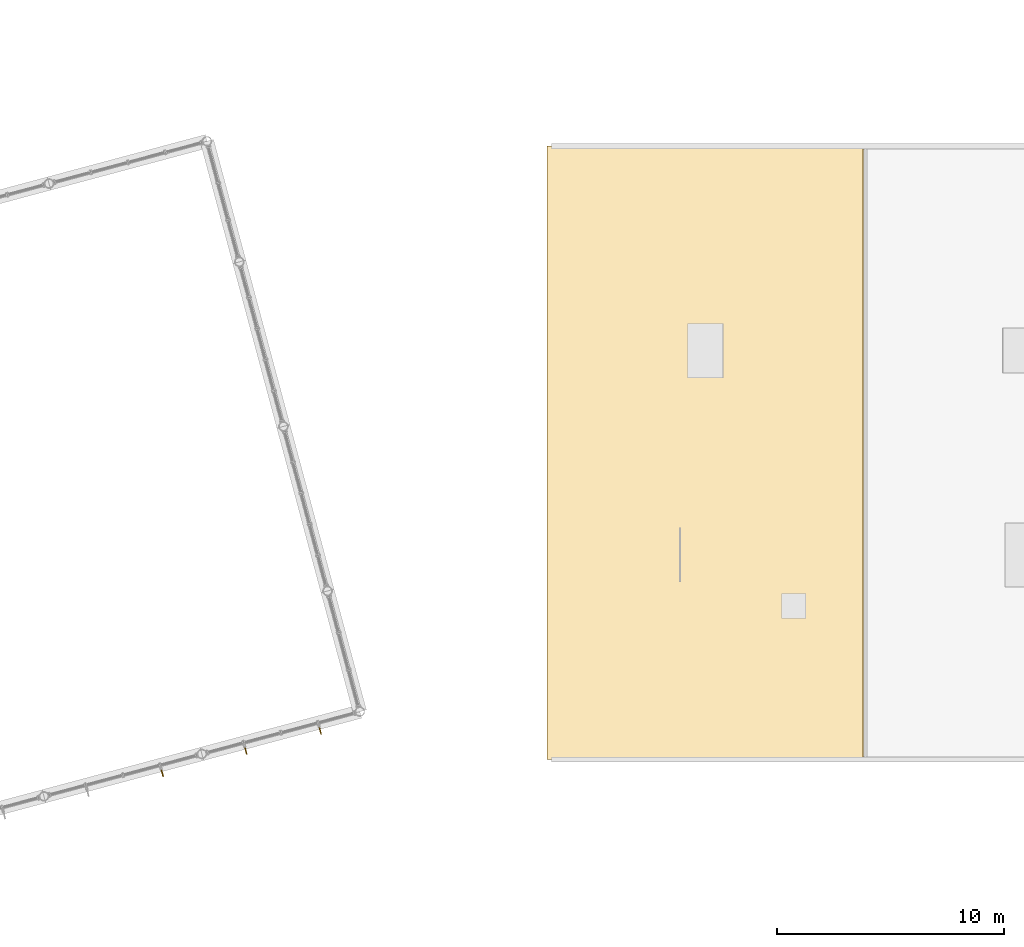
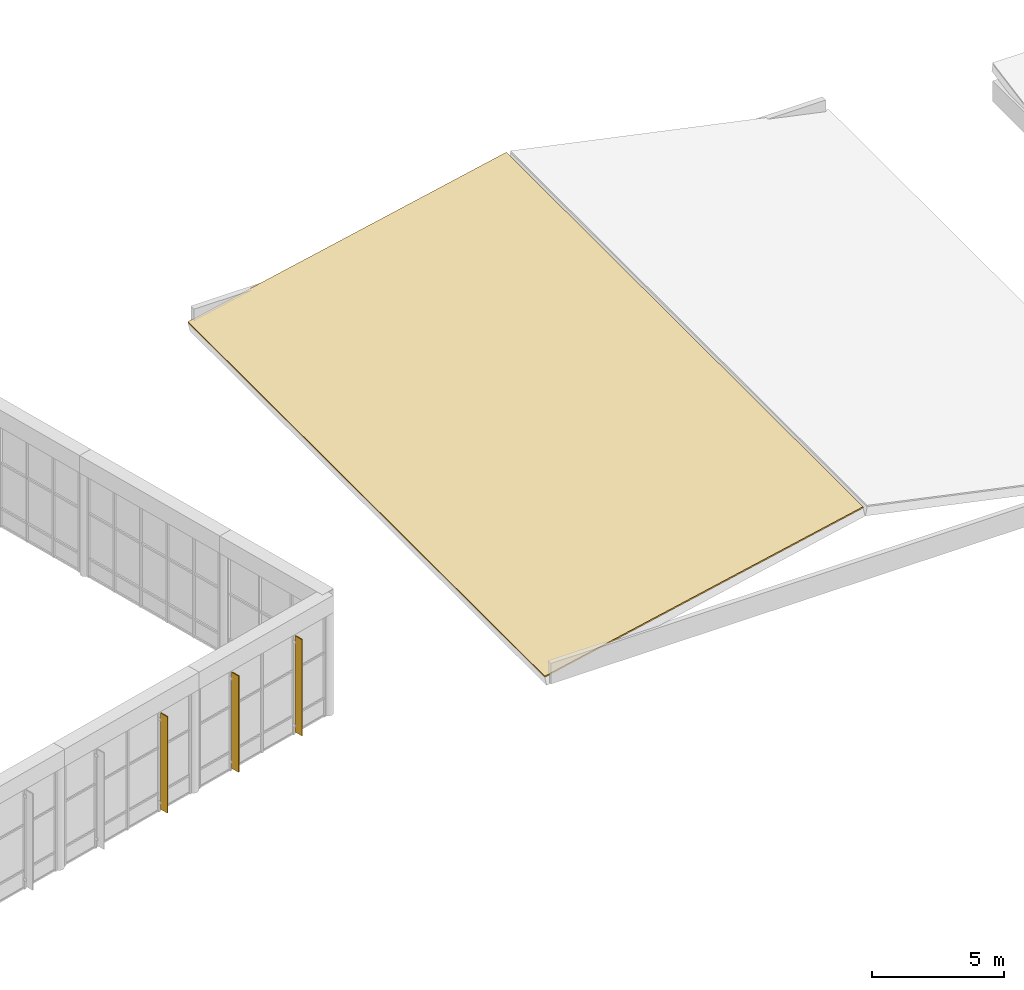
# One storey, part 54 of 55: 3 shading devices, 1 covering.
"""IFC4 building model written with IfcOpenShell, lengths in metres."""

from ifc_helpers import new_model, si_unit, direction, frame, origin, origin_2d, place, context, subcontext, project, spatial, polyline, rectangle, outline, extrude, material, layer, layer_set, type_object, element, save


model = new_model("IFC4")

# Units and contexts
model_context = context("Model", 3, precision=1e-05, world=origin(), true_north=direction((0.0, 1.0)))
body_context = subcontext(model_context, "Body", "Model", "MODEL_VIEW")
ifc_project = project(units=[si_unit("LENGTHUNIT", "METRE"), si_unit("AREAUNIT", "SQUARE_METRE"), si_unit("VOLUMEUNIT", "CUBIC_METRE"), si_unit("PLANEANGLEUNIT", "RADIAN"), si_unit("MASSUNIT", "GRAM", prefix="KILO")], contexts=[model_context])

# Site, building, storey
site_placement = place(None, origin())
site = spatial("IfcSite", under=ifc_project, at=site_placement, CompositionType="ELEMENT")
building_placement = place(site_placement, origin())
building = spatial("IfcBuilding", under=site, at=building_placement, Name="Ventoquebrada Cableway Terminal", CompositionType="ELEMENT")
storey_placement = place(building_placement, frame((0.0, 0.0, 14.39990234375)))
storey = spatial("IfcBuildingStorey", under=building, at=storey_placement, Name="L03", CompositionType="ELEMENT", Elevation=14.39990234375)

# Covering
ifc_material_1 = material(Name="Standing-seam zinc-titanium roofing")
ifc_layer = layer(ifc_material_1, 0.06005859375)
ifc_layer_set = layer_set([ifc_layer], Name="Standing-seam zinc-titanium roofing")
covering_type = type_object("IfcCoveringType", Name="COV-RF01", PredefinedType="ROOFING", material=ifc_layer_set)
covering_placement = place(storey_placement, frame((95.012451171875, 77.0, 0.03125), z_axis=(-0.207937806095, 0.0, 0.978142049396), x_axis=(0.978142049396, 0.0, 0.207937806095)))
element("IfcCovering", 1, at=covering_placement, inside=storey, type_object=covering_type, Name="Standing-seam roof covering SL-110", PredefinedType="ROOFING", context=body_context, shape_type="SweptSolid", body=[
    extrude(outline(polyline([(0.0, 0.0), (14.22074852826017, 0.0), (14.22074852826017, 27.0), (0.0, 27.0), (0.0, 0.0)])), origin(), (0.0, 0.0, 1.0), 0.06005859375),
])

# Shading devices
ifc_material_2 = material(Name="Anodized thermally-broken aluminium", Category="aluminium")
shading_device_type = type_object("IfcShadingDeviceType", Name="SHD-AW1", PredefinedType="AWNING", material=ifc_material_2)
for number, where, z_axis, x_axis, name in (
    (2, (78.0458984375, 76.4169921875, 0.14990234375), (0.0, 0.0, 1.0), (0.965957439792, 0.258701033069, 0.0), "Extruded aluminium sunshade fin FN-089"),
    (3, (81.72412109375, 77.403076171875, 0.14990234375), (0.0, 0.0, 1.0), (0.965912273231, 0.258869620506, 0.0), "Extruded aluminium sunshade fin FN-090"),
    (4, (85.0, 78.281005859375, 0.14990234375), (0.0, 0.0, 1.0), (0.965912273231, 0.258869620506, 0.0), "Extruded aluminium sunshade fin FN-091"),
):
    element("IfcShadingDevice", number, at=place(storey_placement, frame(where, z_axis=z_axis, x_axis=x_axis)), inside=storey, type_object=shading_device_type, Name=name, PredefinedType="AWNING", context=body_context, shape_type="SweptSolid", body=[
        extrude(rectangle(XDim=0.044921875, YDim=0.360107421875, at=origin_2d()), origin(), (0.0, 0.0, 1.0), 4.449951171875),
    ])

save(model, "model.ifc")
